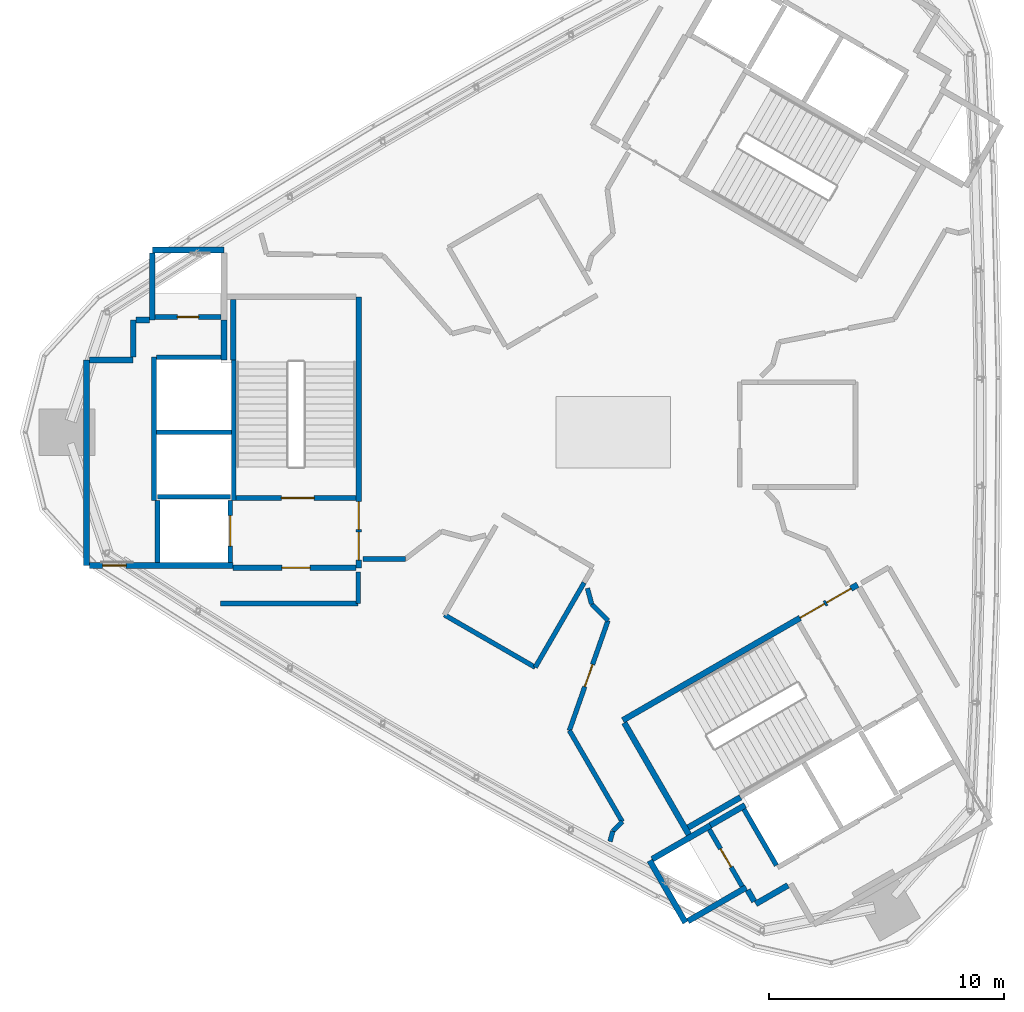
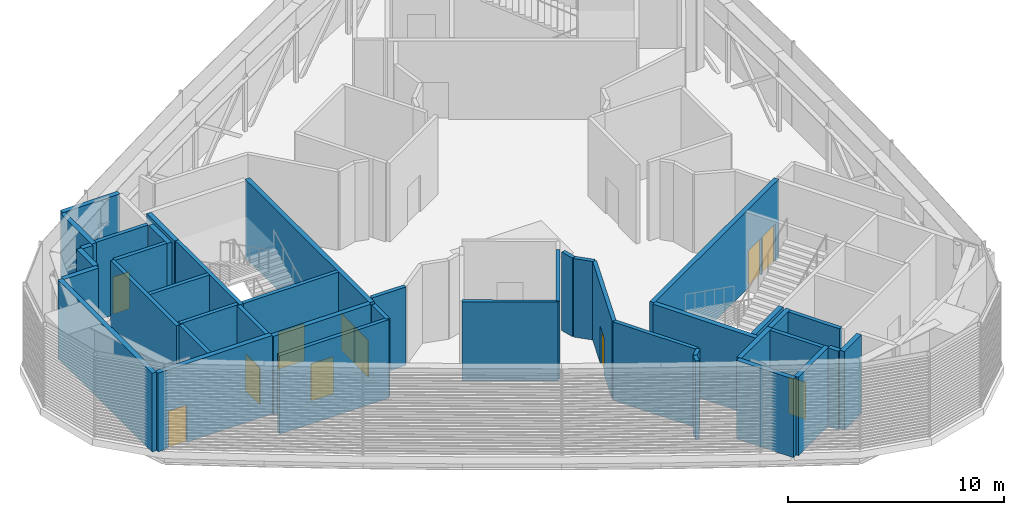
# One storey, part 15 of 21: 42 walls, 11 doors, 11 openings.
"""IFC4 building model written with IfcOpenShell, lengths in metres."""

import ifcopenshell
import ifcopenshell.guid

model = None  # the IFC model being written
_history = None  # IfcOwnerHistory: only IFC2X3 demands one
_inside = {}  # id of a spatial element -> (the spatial element, [elements in it])
_under = {}  # id of a project, library or spatial element -> (it, [spatial elements below it])
_declared = {}  # id of a project -> (the project, [libraries it declares])
_typed = {}  # id of a type object -> (the type object, [elements of that type])
_made_of = {}  # id of a material, layer set ... -> (it, [elements and type objects made of it])


def new_model(schema):
    """Start an empty IFC model of exactly this schema.

    Asked for "IFC4X3", IfcOpenShell would pick the latest addendum, in which some entities
    have other attributes; the version numbers below select the first issue.
    IFC2X3 requires an IfcOwnerHistory on every rooted entity: one is made here for all.
    """
    global model, _history
    if schema == "IFC4X3":
        model = ifcopenshell.file(schema_version=(4, 3, 0, 0))
    else:
        model = ifcopenshell.file(schema=schema)
    _inside.clear()
    _under.clear()
    _declared.clear()
    _typed.clear()
    _made_of.clear()
    _history = None
    if model.schema == "IFC2X3":
        org = make("IfcOrganization", Name="unknown")
        user = make(
            "IfcPersonAndOrganization",
            ThePerson=make("IfcPerson", FamilyName="unknown"),
            TheOrganization=org,
        )
        app = make(
            "IfcApplication",
            ApplicationDeveloper=org,
            Version="unknown",
            ApplicationFullName="unknown",
            ApplicationIdentifier="unknown",
        )
        _history = make(
            "IfcOwnerHistory",
            OwningUser=user,
            OwningApplication=app,
            ChangeAction="ADDED",
            CreationDate=0,
        )
    return model


def make(cls, **values):
    """One entity of the class cls with the attributes given. An attribute that is None is left unset."""
    return model.create_entity(
        cls, **{name: value for name, value in values.items() if value is not None}
    )


def rooted(cls, **values):
    """An entity with a GlobalId (a new one), such as an element, a storey or a relation."""
    return make(cls, GlobalId=ifcopenshell.guid.new(), OwnerHistory=_history, **values)


def si_unit(unit_type, name, prefix=None):
    """IfcSIUnit, for example si_unit("LENGTHUNIT", "METRE", prefix="MILLI")."""
    return make("IfcSIUnit", UnitType=unit_type, Prefix=prefix, Name=name)


def assignment(units):
    """IfcUnitAssignment: the units of a project."""
    return None if units is None else make("IfcUnitAssignment", Units=units)


def point(xyz):
    """IfcCartesianPoint."""
    return None if xyz is None else make("IfcCartesianPoint", Coordinates=xyz)


def direction(xyz):
    """IfcDirection."""
    return None if xyz is None else make("IfcDirection", DirectionRatios=xyz)


def frame(location, z_axis=None, x_axis=None):
    """IfcAxis2Placement3D, a coordinate frame: its origin and axes. An axis left out is left unset."""
    return make(
        "IfcAxis2Placement3D",
        Location=point(location),
        Axis=direction(z_axis),
        RefDirection=direction(x_axis),
    )


def frame_2d(location, x_axis=None):
    """IfcAxis2Placement2D, a coordinate frame in the plane: its origin and x axis."""
    return make(
        "IfcAxis2Placement2D", Location=point(location), RefDirection=direction(x_axis)
    )


def origin():
    """The frame at (0, 0, 0) with its axes left unset."""
    return frame((0.0, 0.0, 0.0))


def place(relative_to, where):
    """IfcLocalPlacement: puts the frame where relative to a parent placement (None: the world)."""
    return make(
        "IfcLocalPlacement", PlacementRelTo=relative_to, RelativePlacement=where
    )


def context(
    kind, dimensions, precision=None, world=None, true_north=None, identifier=None
):
    """IfcGeometricRepresentationContext, for example the 3D "Model" context."""
    return make(
        "IfcGeometricRepresentationContext",
        ContextIdentifier=identifier,
        ContextType=kind,
        CoordinateSpaceDimension=dimensions,
        Precision=precision,
        WorldCoordinateSystem=world,
        TrueNorth=true_north,
    )


def subcontext(parent, identifier, kind, view, scale=None):
    """IfcGeometricRepresentationSubContext, for example "Body" below "Model"."""
    return make(
        "IfcGeometricRepresentationSubContext",
        ContextIdentifier=identifier,
        ContextType=kind,
        ParentContext=parent,
        TargetScale=scale,
        TargetView=view,
    )


def project(units=None, contexts=None):
    """IfcProject with its units and contexts."""
    return rooted(
        "IfcProject",
        Name="project",
        RepresentationContexts=contexts,
        UnitsInContext=assignment(units),
    )


def spatial(cls, under=None, at=None, **own):
    """A site, building, storey or space (cls), placed at a placement, below another one or the project."""
    s = rooted(cls, ObjectPlacement=at, **own)
    if under is not None:
        _under.setdefault(under.id(), (under, []))[1].append(s)
    return s


def profile(cls, at=None, kind="AREA", **sizes):
    """A parametric profile (cls). Its sizes go by their IFC names, for example OverallWidth=200.0."""
    return make(cls, ProfileType=kind, Position=at, **sizes)


def rectangle(**sizes):
    """IfcRectangleProfileDef."""
    return profile("IfcRectangleProfileDef", **sizes)


def extrude(swept, where, along, depth):
    """IfcExtrudedAreaSolid: the profile swept, set in the frame where, extruded along a direction by depth."""
    return make(
        "IfcExtrudedAreaSolid",
        SweptArea=swept,
        Position=where,
        ExtrudedDirection=direction(along),
        Depth=depth,
    )


def shape(context_of_items, identifier, shape_type, items):
    """IfcShapeRepresentation: the items that make up one representation, for example the "Body"."""
    return make(
        "IfcShapeRepresentation",
        ContextOfItems=context_of_items,
        RepresentationIdentifier=identifier,
        RepresentationType=shape_type,
        Items=items,
    )


def material(Name=None, Category=None):
    """IfcMaterial."""
    return make("IfcMaterial", Name=Name, Category=Category)


def layer(
    of_material, thickness, ventilated=None, Name=None, Category=None, Priority=None
):
    """IfcMaterialLayer: one layer of a wall or slab, of a material (None: an air gap)."""
    return make(
        "IfcMaterialLayer",
        Material=of_material,
        LayerThickness=thickness,
        IsVentilated=ventilated,
        Name=Name,
        Category=Category,
        Priority=Priority,
    )


def layer_set(layers, Name=None):
    """IfcMaterialLayerSet."""
    return make("IfcMaterialLayerSet", MaterialLayers=layers, LayerSetName=Name)


def made_of(thing, what):
    """Note that an element or type object is made of a material, layer set ...; save() writes the relation."""
    if what is not None:
        _made_of.setdefault(what.id(), (what, []))[1].append(thing)
    return thing


def type_object(cls, material=None, **own):
    """A type object (cls), such as IfcWallType, which elements share."""
    return made_of(rooted(cls, **own), material)


def element(
    cls,
    number,
    at=None,
    inside=None,
    cuts=None,
    type_object=None,
    material=None,
    context=None,
    identifier="Body",
    shape_type=None,
    held_by="IfcProductDefinitionShape",
    body=None,
    shapes=None,
    **own,
):
    """One element of the class cls, such as IfcWall. Its Tag is "e" and its number.

    at: its placement. inside: the storey or other place that contains it. cuts: it is an
    opening in that element (IfcRelVoidsElement). A single representation is given by context,
    identifier, shape_type and body (its items); several are given by shapes. held_by: the class
    of the entity that holds the representations. save() writes the other relations.
    """
    e = rooted(cls, Tag="e%d" % number, ObjectPlacement=at, **own)
    if body is not None:
        shapes = [shape(context, identifier, shape_type, body)]
    if shapes is not None:
        e.Representation = make(held_by, Representations=shapes)
    if inside is not None:
        _inside.setdefault(inside.id(), (inside, []))[1].append(e)
    if cuts is not None:
        rooted(
            "IfcRelVoidsElement", RelatingBuildingElement=cuts, RelatedOpeningElement=e
        )
    if type_object is not None:
        _typed.setdefault(type_object.id(), (type_object, []))[1].append(e)
    return made_of(e, material)


def fill(opening, filler):
    """IfcRelFillsElement: the door or window that sits in an opening."""
    return rooted(
        "IfcRelFillsElement",
        RelatingOpeningElement=opening,
        RelatedBuildingElement=filler,
    )


def aggregate(whole, parts):
    """IfcRelAggregates: a whole, such as a stair, and the parts it consists of."""
    return rooted("IfcRelAggregates", RelatingObject=whole, RelatedObjects=parts)


def save(model, path):
    """Write the relations noted so far, then the file.

    IfcRelAggregates (storeys below a building ...), IfcRelContainedInSpatialStructure (elements
    in a storey), IfcRelDefinesByType, IfcRelAssociatesMaterial and IfcRelDeclares: one each for
    every whole, place, type object, material and project.
    """
    for whole, parts in _under.values():
        aggregate(whole, parts)
    for where, things in _inside.values():
        rooted(
            "IfcRelContainedInSpatialStructure",
            RelatedElements=things,
            RelatingStructure=where,
        )
    for kind, things in _typed.values():
        rooted("IfcRelDefinesByType", RelatedObjects=things, RelatingType=kind)
    for what, things in _made_of.values():
        rooted("IfcRelAssociatesMaterial", RelatedObjects=things, RelatingMaterial=what)
    for by, libraries in _declared.values():
        rooted("IfcRelDeclares", RelatingContext=by, RelatedDefinitions=libraries)
    model.write(path)


model = new_model("IFC4")

# Units and contexts
model_context = context("Model", 3, precision=1e-05, world=origin(), true_north=direction((0.0, 1.0)))
body_context = subcontext(model_context, "Body", "Model", "MODEL_VIEW")
ifc_project = project(units=[si_unit("LENGTHUNIT", "METRE"), si_unit("AREAUNIT", "SQUARE_METRE"), si_unit("VOLUMEUNIT", "CUBIC_METRE"), si_unit("PLANEANGLEUNIT", "RADIAN"), si_unit("MASSUNIT", "GRAM", prefix="KILO")], contexts=[model_context])

# Site, building, storey
site_placement = place(None, origin())
site = spatial("IfcSite", under=ifc_project, at=site_placement, CompositionType="ELEMENT")
building_placement = place(site_placement, origin())
building = spatial("IfcBuilding", under=site, at=building_placement, Name="Tamra Quay Hotel Tower", CompositionType="ELEMENT")
storey_placement = place(building_placement, frame((0.0, 0.0, 301.800048828125)))
storey = spatial("IfcBuildingStorey", under=building, at=storey_placement, Name="L76", CompositionType="ELEMENT", Elevation=301.800048828125)

# Walls
ifc_material_1 = material(Name="Concrete M70", Category="concrete")
ifc_layer_1 = layer(ifc_material_1, 0.199951171875)
ifc_layer_set_1 = layer_set([ifc_layer_1], Name="Concrete M70 core wall 200")
wall_type_1 = type_object("IfcWallType", Name="Concrete M70 core wall 200", PredefinedType="SHEAR", material=ifc_layer_set_1)
wall_1_placement = place(storey_placement, frame((-16.162109375, 3.073974609375, 0.0), z_axis=(0.0, 0.0, 1.0), x_axis=(0.0, -1.0, 0.0)))
element("IfcWall", 1, at=wall_1_placement, inside=storey, type_object=wall_type_1, Name="CW2", PredefinedType="SHEAR", context=body_context, shape_type="SweptSolid", body=[
    extrude(rectangle(XDim=5.97412109375, YDim=0.199951171875, at=frame_2d((2.987060546875, 0.0))), origin(), (0.0, 0.0, 1.0), 4.449951171875),
])
wall_2_placement = place(storey_placement, frame((-19.5625, -2.900146484375, 0.0), z_axis=(0.0, 0.0, 1.0), x_axis=(0.0, 1.0, 0.0)))
element("IfcWall", 2, at=wall_2_placement, inside=storey, type_object=wall_type_1, Name="CW2", PredefinedType="SHEAR", context=body_context, shape_type="SweptSolid", body=[
    extrude(rectangle(XDim=6.100341796875, YDim=0.199951171875, at=frame_2d((3.05029296875, 0.0))), origin(), (0.0, 0.0, 1.0), 4.449951171875),
])

# Wall, opening, door
wall_3_placement = place(storey_placement, frame((-10.96337890625, -2.800048828125, 0.0), z_axis=(0.0, 0.0, 1.0), x_axis=(-1.0, 0.0, 0.0)))
wall_3 = element("IfcWall", 3, at=wall_3_placement, inside=storey, type_object=wall_type_1, Name="CW2", PredefinedType="SHEAR", context=body_context, shape_type="SweptSolid", body=[
    extrude(rectangle(XDim=5.097900390625, YDim=0.199951171875, at=frame_2d((2.548828125, 0.0))), origin(), (0.0, 0.0, 1.0), 4.449951171875),
])
opening_1_placement = place(wall_3_placement, frame((1.77392578125, 0.0, 0.0)))
opening_1 = element("IfcOpeningElement", 4, at=opening_1_placement, cuts=wall_3, Name="Opening FD2", PredefinedType="OPENING", context=body_context, shape_type="SweptSolid", body=[
    extrude(rectangle(XDim=1.39990234375, YDim=2.10009765625, at=frame_2d((0.699951171875, 1.050048828125))), frame((0.0, 0.10986328125, 0.0), z_axis=(0.0, -1.0, 0.0), x_axis=(1.0, 0.0, 0.0)), (0.0, 0.0, 1.0), 0.219970703125),
])
ifc_material_2 = material(Name="Core door FD2 1400x2100 RH")
door_type_1 = type_object("IfcDoorType", Name="Core door FD2 1400x2100 RH", OperationType="NOTDEFINED", PredefinedType="DOOR", material=ifc_material_2)
door_1_placement = place(opening_1_placement, origin())
door_1 = element("IfcDoor", 5, at=door_1_placement, inside=storey, type_object=door_type_1, Name="FD2", OperationType="SINGLE_SWING_RIGHT", OverallHeight=2.10009765625, OverallWidth=1.39990234375, PredefinedType="DOOR", context=body_context, shape_type="SweptSolid", body=[
    extrude(rectangle(XDim=1.39990234375, YDim=2.10009765625, at=frame_2d((0.699951171875, 1.050048828125))), frame((0.0, 0.02490234375, 0.0), z_axis=(0.0, -1.0, 0.0), x_axis=(1.0, 0.0, 0.0)), (0.0, 0.0, 1.0), 0.050048828125),
])
fill(opening_1, door_1)

# Wall
wall_4_placement = place(storey_placement, frame((-16.26318359375, 0.0, 0.0), z_axis=(0.0, 0.0, 1.0), x_axis=(-1.0, 0.0, 0.0)))
element("IfcWall", 6, at=wall_4_placement, inside=storey, type_object=wall_type_1, Name="CW2", PredefinedType="SHEAR", context=body_context, shape_type="SweptSolid", body=[
    extrude(rectangle(XDim=3.1982421875, YDim=0.199951171875, at=frame_2d((1.59912109375, 0.0))), origin(), (0.0, 0.0, 1.0), 4.449951171875),
])

# Wall, opening, door
wall_5_placement = place(storey_placement, frame((-19.51123046875, 4.91015625, 0.0), z_axis=(0.0, 0.0, 1.0), x_axis=(1.0, 0.0, 0.0)))
wall_5 = element("IfcWall", 7, at=wall_5_placement, inside=storey, type_object=wall_type_1, Name="CW2", PredefinedType="SHEAR", context=body_context, shape_type="SweptSolid", body=[
    extrude(rectangle(XDim=2.7978515625, YDim=0.199951171875, at=frame_2d((1.39892578125, 0.0))), origin(), (0.0, 0.0, 1.0), 4.449951171875),
])
opening_2_placement = place(wall_5_placement, frame((0.948974609375, 0.0, 0.0)))
opening_2 = element("IfcOpeningElement", 8, at=opening_2_placement, cuts=wall_5, Name="Opening D1", PredefinedType="OPENING", context=body_context, shape_type="SweptSolid", body=[
    extrude(rectangle(XDim=0.89990234375, YDim=2.10009765625, at=frame_2d((0.449951171875, 1.050048828125))), frame((0.0, 0.10986328125, 0.0), z_axis=(0.0, -1.0, 0.0), x_axis=(1.0, 0.0, 0.0)), (0.0, 0.0, 1.0), 0.219970703125),
])
ifc_material_3 = material(Name="Core door D1 900x2100 LH")
door_type_2 = type_object("IfcDoorType", Name="Core door D1 900x2100 LH", OperationType="NOTDEFINED", PredefinedType="DOOR", material=ifc_material_3)
door_2_placement = place(opening_2_placement, origin())
door_2 = element("IfcDoor", 9, at=door_2_placement, inside=storey, type_object=door_type_2, Name="D1", OperationType="SINGLE_SWING_LEFT", OverallHeight=2.10009765625, OverallWidth=0.89990234375, PredefinedType="DOOR", context=body_context, shape_type="SweptSolid", body=[
    extrude(rectangle(XDim=0.89990234375, YDim=2.10009765625, at=frame_2d((0.449951171875, 1.050048828125))), frame((0.0, 0.02490234375, 0.0), z_axis=(0.0, -1.0, 0.0), x_axis=(1.0, 0.0, 0.0)), (0.0, 0.0, 1.0), 0.050048828125),
])
fill(opening_2, door_2)

# Walls
wall_6_placement = place(storey_placement, frame((-19.46240234375, 3.2001953125, 0.0), z_axis=(0.0, 0.0, 1.0), x_axis=(1.0, 0.0, 0.0)))
element("IfcWall", 10, at=wall_6_placement, inside=storey, type_object=wall_type_1, Name="CW2", PredefinedType="SHEAR", context=body_context, shape_type="SweptSolid", body=[
    extrude(rectangle(XDim=2.759033203125, YDim=0.199951171875, at=frame_2d((1.37939453125, 0.0))), origin(), (0.0, 0.0, 1.0), 4.449951171875),
])
wall_7_placement = place(storey_placement, frame((-19.412353515625, -2.75, 0.0), z_axis=(0.0, 0.0, 1.0), x_axis=(1.0, 0.0, 0.0)))
element("IfcWall", 11, at=wall_7_placement, inside=storey, type_object=wall_type_1, Name="CW2", PredefinedType="SHEAR", context=body_context, shape_type="SweptSolid", body=[
    extrude(rectangle(XDim=3.10009765625, YDim=0.199951171875, at=frame_2d((1.550048828125, 0.0))), origin(), (0.0, 0.0, 1.0), 4.449951171875),
])

# Wall, opening, door
wall_8_placement = place(storey_placement, frame((-16.312255859375, -2.898193359375, 0.0), z_axis=(0.0, 0.0, 1.0), x_axis=(0.0, -1.0, 0.0)))
wall_8 = element("IfcWall", 12, at=wall_8_placement, inside=storey, type_object=wall_type_1, Name="CW2", PredefinedType="SHEAR", context=body_context, shape_type="SweptSolid", body=[
    extrude(rectangle(XDim=2.65087890625, YDim=0.199951171875, at=frame_2d((1.325439453125, 0.0))), origin(), (0.0, 0.0, 1.0), 4.449951171875),
])
opening_3_placement = place(wall_8_placement, frame((0.65185546875, 0.0, 0.0)))
opening_3 = element("IfcOpeningElement", 13, at=opening_3_placement, cuts=wall_8, Name="Opening LD", PredefinedType="OPENING", context=body_context, shape_type="SweptSolid", body=[
    extrude(rectangle(XDim=1.300048828125, YDim=2.10009765625, at=frame_2d((0.64990234375, 1.050048828125))), frame((0.0, 0.10986328125, 0.0), z_axis=(0.0, -1.0, 0.0), x_axis=(1.0, 0.0, 0.0)), (0.0, 0.0, 1.0), 0.219970703125),
])
ifc_material_4 = material(Name="Landing door LD 1300 sliding to right")
door_type_3 = type_object("IfcDoorType", Name="Landing door LD 1300 sliding to right", OperationType="NOTDEFINED", PredefinedType="DOOR", material=ifc_material_4)
door_3_placement = place(opening_3_placement, origin())
door_3 = element("IfcDoor", 14, at=door_3_placement, inside=storey, type_object=door_type_3, Name="LD", OperationType="SLIDING_TO_RIGHT", OverallHeight=2.10009765625, OverallWidth=1.300048828125, PredefinedType="DOOR", context=body_context, shape_type="SweptSolid", body=[
    extrude(rectangle(XDim=1.300048828125, YDim=2.10009765625, at=frame_2d((0.64990234375, 1.050048828125))), frame((0.0, 0.02490234375, 0.0), z_axis=(0.0, -1.0, 0.0), x_axis=(1.0, 0.0, 0.0)), (0.0, 0.0, 1.0), 0.050048828125),
])
fill(opening_3, door_3)

# Wall
wall_9_placement = place(storey_placement, frame((-19.412353515625, -5.549072265625, 0.0), z_axis=(0.0, 0.0, 1.0), x_axis=(0.0, 1.0, 0.0)))
element("IfcWall", 15, at=wall_9_placement, inside=storey, type_object=wall_type_1, Name="CW2", PredefinedType="SHEAR", context=body_context, shape_type="SweptSolid", body=[
    extrude(rectangle(XDim=2.65087890625, YDim=0.199951171875, at=frame_2d((1.325439453125, 0.0))), origin(), (0.0, 0.0, 1.0), 4.449951171875),
])

# Wall, opening, door
wall_10_placement = place(storey_placement, frame((5.50341796875, -19.352294921875, 0.0), z_axis=(0.0, 0.0, 1.0), x_axis=(-0.499986818241, 0.866033014143, 0.0)))
wall_10 = element("IfcWall", 16, at=wall_10_placement, inside=storey, type_object=wall_type_1, Name="CW2", PredefinedType="SHEAR", context=body_context, shape_type="SweptSolid", body=[
    extrude(rectangle(XDim=2.7978515625, YDim=0.199951171875, at=frame_2d((1.39892578125, 0.0))), origin(), (0.0, 0.0, 1.0), 4.449951171875),
])
opening_4_placement = place(wall_10_placement, frame((0.948974609375, 0.0, 0.0)))
opening_4 = element("IfcOpeningElement", 17, at=opening_4_placement, cuts=wall_10, Name="Opening D1", PredefinedType="OPENING", context=body_context, shape_type="SweptSolid", body=[
    extrude(rectangle(XDim=0.89990234375, YDim=2.10009765625, at=frame_2d((0.449951171875, 1.050048828125))), frame((0.0, 0.10986328125, 0.0), z_axis=(0.0, -1.0, 0.0), x_axis=(1.0, 0.0, 0.0)), (0.0, 0.0, 1.0), 0.219970703125),
])
ifc_material_5 = material(Name="Core door D1 900x2100 RH")
door_type_4 = type_object("IfcDoorType", Name="Core door D1 900x2100 RH", OperationType="NOTDEFINED", PredefinedType="DOOR", material=ifc_material_5)
door_4_placement = place(opening_4_placement, origin())
door_4 = element("IfcDoor", 18, at=door_4_placement, inside=storey, type_object=door_type_4, Name="D1", OperationType="SINGLE_SWING_RIGHT", OverallHeight=2.10009765625, OverallWidth=0.89990234375, PredefinedType="DOOR", context=body_context, shape_type="SweptSolid", body=[
    extrude(rectangle(XDim=0.89990234375, YDim=2.10009765625, at=frame_2d((0.449951171875, 1.050048828125))), frame((0.0, 0.02490234375, 0.0), z_axis=(0.0, -1.0, 0.0), x_axis=(1.0, 0.0, 0.0)), (0.0, 0.0, 1.0), 0.050048828125),
])
fill(opening_4, door_4)

# Wall
wall_11_placement = place(storey_placement, frame((6.959716796875, -18.455078125, 0.0), z_axis=(0.0, 0.0, 1.0), x_axis=(-0.499926705758, 0.866067716099, 0.0)))
element("IfcWall", 19, at=wall_11_placement, inside=storey, type_object=wall_type_1, Name="CW2", PredefinedType="SHEAR", context=body_context, shape_type="SweptSolid", body=[
    extrude(rectangle(XDim=2.75927734375, YDim=0.199951171875, at=frame_2d((1.379638671875, 0.0))), origin(), (0.0, 0.0, 1.0), 4.449951171875),
])

# Wall, openings, doors
ifc_layer_2 = layer(ifc_material_1, 0.25)
ifc_layer_set_2 = layer_set([ifc_layer_2], Name="Concrete M70 core wall 250")
wall_type_2 = type_object("IfcWallType", Name="Concrete M70 core wall 250", PredefinedType="SHEAR", material=ifc_layer_set_2)
wall_12_placement = place(storey_placement, frame((-10.83740234375, 5.77490234375, 0.0), z_axis=(0.0, 0.0, 1.0), x_axis=(0.0, -1.0, 0.0)))
wall_12 = element("IfcWall", 20, at=wall_12_placement, inside=storey, type_object=wall_type_2, Name="CW1", PredefinedType="SHEAR", context=body_context, shape_type="SweptSolid", body=[
    extrude(rectangle(XDim=11.5498046875, YDim=0.25, at=frame_2d((5.77490234375, 0.0))), origin(), (0.0, 0.0, 1.0), 4.449951171875),
])
opening_5_placement = place(wall_12_placement, frame((10.02490234375, 0.0, 0.0)))
opening_5 = element("IfcOpeningElement", 21, at=opening_5_placement, cuts=wall_12, Name="Opening FD1", PredefinedType="OPENING", context=body_context, shape_type="SweptSolid", body=[
    extrude(rectangle(XDim=1.199951171875, YDim=2.10009765625, at=frame_2d((0.60009765625, 1.050048828125))), frame((0.0, 0.135009765625, 0.0), z_axis=(0.0, -1.0, 0.0), x_axis=(1.0, 0.0, 0.0)), (0.0, 0.0, 1.0), 0.27001953125),
])
opening_6_placement = place(wall_12_placement, frame((8.72509765625, 0.0, 0.0)))
opening_6 = element("IfcOpeningElement", 22, at=opening_6_placement, cuts=wall_12, Name="Opening FD1", PredefinedType="OPENING", context=body_context, shape_type="SweptSolid", body=[
    extrude(rectangle(XDim=1.199951171875, YDim=2.10009765625, at=frame_2d((0.60009765625, 1.050048828125))), frame((0.0, 0.135009765625, 0.0), z_axis=(0.0, -1.0, 0.0), x_axis=(1.0, 0.0, 0.0)), (0.0, 0.0, 1.0), 0.27001953125),
])
ifc_material_6 = material(Name="Core door FD1 1200x2100 LH")
door_type_5 = type_object("IfcDoorType", Name="Core door FD1 1200x2100 LH", OperationType="NOTDEFINED", PredefinedType="DOOR", material=ifc_material_6)
door_5_placement = place(opening_5_placement, origin())
door_5 = element("IfcDoor", 23, at=door_5_placement, inside=storey, type_object=door_type_5, Name="FD1", OperationType="SINGLE_SWING_LEFT", OverallHeight=2.10009765625, OverallWidth=1.199951171875, PredefinedType="DOOR", context=body_context, shape_type="SweptSolid", body=[
    extrude(rectangle(XDim=1.199951171875, YDim=2.10009765625, at=frame_2d((0.60009765625, 1.050048828125))), frame((0.0, 0.02490234375, 0.0), z_axis=(0.0, -1.0, 0.0), x_axis=(1.0, 0.0, 0.0)), (0.0, 0.0, 1.0), 0.050048828125),
])
fill(opening_5, door_5)
ifc_material_7 = material(Name="Core door FD1 1200x2100 RH")
door_type_6 = type_object("IfcDoorType", Name="Core door FD1 1200x2100 RH", OperationType="NOTDEFINED", PredefinedType="DOOR", material=ifc_material_7)
door_6_placement = place(opening_6_placement, origin())
door_6 = element("IfcDoor", 24, at=door_6_placement, inside=storey, type_object=door_type_6, Name="FD1", OperationType="SINGLE_SWING_RIGHT", OverallHeight=2.10009765625, OverallWidth=1.199951171875, PredefinedType="DOOR", context=body_context, shape_type="SweptSolid", body=[
    extrude(rectangle(XDim=1.199951171875, YDim=2.10009765625, at=frame_2d((0.60009765625, 1.050048828125))), frame((0.0, 0.02490234375, 0.0), z_axis=(0.0, -1.0, 0.0), x_axis=(1.0, 0.0, 0.0)), (0.0, 0.0, 1.0), 0.050048828125),
])
fill(opening_6, door_6)

# Wall
wall_13_placement = place(storey_placement, frame((-22.437255859375, -5.675048828125, 0.0), z_axis=(0.0, 0.0, 1.0), x_axis=(0.0, 1.0, 0.0)))
element("IfcWall", 25, at=wall_13_placement, inside=storey, type_object=wall_type_2, Name="CW1", PredefinedType="SHEAR", context=body_context, shape_type="SweptSolid", body=[
    extrude(rectangle(XDim=8.75, YDim=0.25, at=frame_2d((4.375, 0.0))), origin(), (0.0, 0.0, 1.0), 4.449951171875),
])

# Wall, opening, door
wall_14_placement = place(storey_placement, frame((-16.187255859375, -5.675048828125, 0.0), z_axis=(0.0, 0.0, 1.0), x_axis=(-1.0, 0.0, 0.0)))
wall_14 = element("IfcWall", 26, at=wall_14_placement, inside=storey, type_object=wall_type_2, Name="CW1", PredefinedType="SHEAR", context=body_context, shape_type="SweptSolid", body=[
    extrude(rectangle(XDim=6.12451171875, YDim=0.25, at=frame_2d((3.062255859375, 0.0))), origin(), (0.0, 0.0, 1.0), 4.449951171875),
])
opening_7_placement = place(wall_14_placement, frame((4.562744140625, 0.0, 0.0)))
opening_7 = element("IfcOpeningElement", 27, at=opening_7_placement, cuts=wall_14, Name="Opening FD3", PredefinedType="OPENING", context=body_context, shape_type="SweptSolid", body=[
    extrude(rectangle(XDim=1.0, YDim=2.10009765625, at=frame_2d((0.5, 1.050048828125))), frame((0.0, 0.135009765625, 0.0), z_axis=(0.0, -1.0, 0.0), x_axis=(1.0, 0.0, 0.0)), (0.0, 0.0, 1.0), 0.27001953125),
])
ifc_material_8 = material(Name="Core door FD3 1000x2100 LH")
door_type_7 = type_object("IfcDoorType", Name="Core door FD3 1000x2100 LH", OperationType="NOTDEFINED", PredefinedType="DOOR", material=ifc_material_8)
door_7_placement = place(opening_7_placement, origin())
door_7 = element("IfcDoor", 28, at=door_7_placement, inside=storey, type_object=door_type_7, Name="FD3", OperationType="SINGLE_SWING_LEFT", OverallHeight=2.10009765625, OverallWidth=1.0, PredefinedType="DOOR", context=body_context, shape_type="SweptSolid", body=[
    extrude(rectangle(XDim=1.0, YDim=2.10009765625, at=frame_2d((0.5, 1.050048828125))), frame((0.0, 0.02490234375, 0.0), z_axis=(0.0, -1.0, 0.0), x_axis=(1.0, 0.0, 0.0)), (0.0, 0.0, 1.0), 0.050048828125),
])
fill(opening_7, door_7)

wall_15_placement = place(storey_placement, frame((-10.962646484375, -5.77490234375, 0.0), z_axis=(0.0, 0.0, 1.0), x_axis=(-1.0, 0.0, 0.0)))
wall_15 = element("IfcWall", 29, at=wall_15_placement, inside=storey, type_object=wall_type_2, Name="CW1", PredefinedType="SHEAR", context=body_context, shape_type="SweptSolid", body=[
    extrude(rectangle(XDim=5.224609375, YDim=0.25, at=frame_2d((2.6123046875, 0.0))), origin(), (0.0, 0.0, 1.0), 4.449951171875),
])
opening_8_placement = place(wall_15_placement, frame((1.94970703125, 0.0, 0.0)))
opening_8 = element("IfcOpeningElement", 30, at=opening_8_placement, cuts=wall_15, Name="Opening D2", PredefinedType="OPENING", context=body_context, shape_type="SweptSolid", body=[
    extrude(rectangle(XDim=1.199951171875, YDim=2.10009765625, at=frame_2d((0.60009765625, 1.050048828125))), frame((0.0, 0.135009765625, 0.0), z_axis=(0.0, -1.0, 0.0), x_axis=(1.0, 0.0, 0.0)), (0.0, 0.0, 1.0), 0.27001953125),
])
ifc_material_9 = material(Name="Core door D2 1200x2100 LH")
door_type_8 = type_object("IfcDoorType", Name="Core door D2 1200x2100 LH", OperationType="NOTDEFINED", PredefinedType="DOOR", material=ifc_material_9)
door_8_placement = place(opening_8_placement, origin())
door_8 = element("IfcDoor", 31, at=door_8_placement, inside=storey, type_object=door_type_8, Name="D2", OperationType="SINGLE_SWING_LEFT", OverallHeight=2.10009765625, OverallWidth=1.199951171875, PredefinedType="DOOR", context=body_context, shape_type="SweptSolid", body=[
    extrude(rectangle(XDim=1.199951171875, YDim=2.10009765625, at=frame_2d((0.60009765625, 1.050048828125))), frame((0.0, 0.02490234375, 0.0), z_axis=(0.0, -1.0, 0.0), x_axis=(1.0, 0.0, 0.0)), (0.0, 0.0, 1.0), 0.050048828125),
])
fill(opening_8, door_8)

# Walls
wall_16_placement = place(storey_placement, frame((-19.63720703125, 7.77490234375, 0.0), z_axis=(0.0, 0.0, 1.0), x_axis=(1.0, 0.0, 0.0)))
element("IfcWall", 32, at=wall_16_placement, inside=storey, type_object=wall_type_2, Name="CW1", PredefinedType="SHEAR", context=body_context, shape_type="SweptSolid", body=[
    extrude(rectangle(XDim=3.0498046875, YDim=0.25, at=frame_2d((1.52490234375, 0.0))), origin(), (0.0, 0.0, 1.0), 4.449951171875),
])
wall_17_placement = place(storey_placement, frame((-19.63720703125, 4.784912109375, 0.0), z_axis=(0.0, 0.0, 1.0), x_axis=(0.0, 1.0, 0.0)))
element("IfcWall", 33, at=wall_17_placement, inside=storey, type_object=wall_type_2, Name="CW1", PredefinedType="SHEAR", context=body_context, shape_type="SweptSolid", body=[
    extrude(rectangle(XDim=2.86474609375, YDim=0.25, at=frame_2d((1.432373046875, 0.0))), origin(), (0.0, 0.0, 1.0), 4.449951171875),
])
wall_18_placement = place(storey_placement, frame((-16.187255859375, 3.074951171875, 0.0), z_axis=(0.0, 0.0, 1.0), x_axis=(0.0, 1.0, 0.0)))
element("IfcWall", 34, at=wall_18_placement, inside=storey, type_object=wall_type_2, Name="CW1", PredefinedType="SHEAR", context=body_context, shape_type="SweptSolid", body=[
    extrude(rectangle(XDim=2.57470703125, YDim=0.25, at=frame_2d((1.287353515625, 0.0))), origin(), (0.0, 0.0, 1.0), 4.449951171875),
])
wall_19_placement = place(storey_placement, frame((-22.311767578125, 3.074951171875, 0.0), z_axis=(0.0, 0.0, 1.0), x_axis=(1.0, 0.0, 0.0)))
element("IfcWall", 35, at=wall_19_placement, inside=storey, type_object=wall_type_2, Name="CW1", PredefinedType="SHEAR", context=body_context, shape_type="SweptSolid", body=[
    extrude(rectangle(XDim=1.864501953125, YDim=0.25, at=frame_2d((0.93212890625, 0.0))), origin(), (0.0, 0.0, 1.0), 4.449951171875),
])
wall_20_placement = place(storey_placement, frame((-16.577392578125, 4.784912109375, 0.0), z_axis=(0.0, 0.0, 1.0), x_axis=(0.0, -1.0, 0.0)))
element("IfcWall", 36, at=wall_20_placement, inside=storey, type_object=wall_type_2, Name="CW1", PredefinedType="SHEAR", context=body_context, shape_type="SweptSolid", body=[
    extrude(rectangle(XDim=1.7099609375, YDim=0.25, at=frame_2d((0.85498046875, 0.0))), origin(), (0.0, 0.0, 1.0), 4.449951171875),
])
wall_21_placement = place(storey_placement, frame((-20.447265625, 3.200439453125, 0.0), z_axis=(0.0, 0.0, 1.0), x_axis=(0.0, 1.0, 0.0)))
element("IfcWall", 37, at=wall_21_placement, inside=storey, type_object=wall_type_2, Name="CW1", PredefinedType="SHEAR", context=body_context, shape_type="SweptSolid", body=[
    extrude(rectangle(XDim=1.58447265625, YDim=0.25, at=frame_2d((0.792236328125, 0.0))), origin(), (0.0, 0.0, 1.0), 4.449951171875),
])
wall_22_placement = place(storey_placement, frame((-20.32177734375, 4.784912109375, 0.0), z_axis=(0.0, 0.0, 1.0), x_axis=(1.0, 0.0, 0.0)))
element("IfcWall", 38, at=wall_22_placement, inside=storey, type_object=wall_type_2, Name="CW1", PredefinedType="SHEAR", context=body_context, shape_type="SweptSolid", body=[
    extrude(rectangle(XDim=0.55908203125, YDim=0.25, at=frame_2d((0.279541015625, 0.0))), origin(), (0.0, 0.0, 1.0), 4.449951171875),
])

# Wall, openings, doors
wall_23_placement = place(storey_placement, frame((0.417236328125, -12.27294921875, 0.0), z_axis=(0.0, 0.0, 1.0), x_axis=(0.866021906294, 0.500006057782, 0.0)))
wall_23 = element("IfcWall", 39, at=wall_23_placement, inside=storey, type_object=wall_type_2, Name="CW1", PredefinedType="SHEAR", context=body_context, shape_type="SweptSolid", body=[
    extrude(rectangle(XDim=11.550048828125, YDim=0.25, at=frame_2d((5.77490234375, 0.0))), origin(), (0.0, 0.0, 1.0), 4.449951171875),
])
opening_9_placement = place(wall_23_placement, frame((10.024658203125, 0.0, 0.0)))
opening_9 = element("IfcOpeningElement", 40, at=opening_9_placement, cuts=wall_23, Name="Opening FD1", PredefinedType="OPENING", context=body_context, shape_type="SweptSolid", body=[
    extrude(rectangle(XDim=1.199951171875, YDim=2.10009765625, at=frame_2d((0.60009765625, 1.050048828125))), frame((0.0, 0.135009765625, 0.0), z_axis=(0.0, -1.0, 0.0), x_axis=(1.0, 0.0, 0.0)), (0.0, 0.0, 1.0), 0.27001953125),
])
opening_10_placement = place(wall_23_placement, frame((8.724609375, 0.0, 0.0)))
opening_10 = element("IfcOpeningElement", 41, at=opening_10_placement, cuts=wall_23, Name="Opening FD1", PredefinedType="OPENING", context=body_context, shape_type="SweptSolid", body=[
    extrude(rectangle(XDim=1.199951171875, YDim=2.10009765625, at=frame_2d((0.60009765625, 1.050048828125))), frame((0.0, 0.135009765625, 0.0), z_axis=(0.0, -1.0, 0.0), x_axis=(1.0, 0.0, 0.0)), (0.0, 0.0, 1.0), 0.27001953125),
])
door_9_placement = place(opening_9_placement, origin())
door_9 = element("IfcDoor", 42, at=door_9_placement, inside=storey, type_object=door_type_5, Name="FD1", OperationType="SINGLE_SWING_LEFT", OverallHeight=2.10009765625, OverallWidth=1.199951171875, PredefinedType="DOOR", context=body_context, shape_type="SweptSolid", body=[
    extrude(rectangle(XDim=1.199951171875, YDim=2.10009765625, at=frame_2d((0.60009765625, 1.050048828125))), frame((0.0, 0.02490234375, 0.0), z_axis=(0.0, -1.0, 0.0), x_axis=(1.0, 0.0, 0.0)), (0.0, 0.0, 1.0), 0.050048828125),
])
fill(opening_9, door_9)
door_10_placement = place(opening_10_placement, origin())
door_10 = element("IfcDoor", 43, at=door_10_placement, inside=storey, type_object=door_type_6, Name="FD1", OperationType="SINGLE_SWING_RIGHT", OverallHeight=2.10009765625, OverallWidth=1.199951171875, PredefinedType="DOOR", context=body_context, shape_type="SweptSolid", body=[
    extrude(rectangle(XDim=1.199951171875, YDim=2.10009765625, at=frame_2d((0.60009765625, 1.050048828125))), frame((0.0, 0.02490234375, 0.0), z_axis=(0.0, -1.0, 0.0), x_axis=(1.0, 0.0, 0.0)), (0.0, 0.0, 1.0), 0.050048828125),
])
fill(opening_10, door_10)

# Walls
wall_24_placement = place(storey_placement, frame((3.23486328125, -17.15283203125, 0.0), z_axis=(0.0, 0.0, 1.0), x_axis=(-0.500008851346, 0.866020293397, 0.0)))
element("IfcWall", 44, at=wall_24_placement, inside=storey, type_object=wall_type_2, Name="CW1", PredefinedType="SHEAR", context=body_context, shape_type="SweptSolid", body=[
    extrude(rectangle(XDim=5.509765625, YDim=0.25, at=frame_2d((2.7548828125, 0.0))), origin(), (0.0, 0.0, 1.0), 4.449951171875),
])
wall_25_placement = place(storey_placement, frame((3.085205078125, -20.893798828125, 0.0), z_axis=(0.0, 0.0, 1.0), x_axis=(-0.499978833458, 0.866037623948, 0.0)))
element("IfcWall", 45, at=wall_25_placement, inside=storey, type_object=wall_type_2, Name="CW1", PredefinedType="SHEAR", context=body_context, shape_type="SweptSolid", body=[
    extrude(rectangle(XDim=3.050048828125, YDim=0.25, at=frame_2d((1.52490234375, 0.0))), origin(), (0.0, 0.0, 1.0), 4.449951171875),
])
wall_26_placement = place(storey_placement, frame((1.6689453125, -18.189697265625, 0.0), z_axis=(0.0, 0.0, 1.0), x_axis=(0.866042235819, 0.499970844928, 0.0)))
element("IfcWall", 46, at=wall_26_placement, inside=storey, type_object=wall_type_2, Name="CW1", PredefinedType="SHEAR", context=body_context, shape_type="SweptSolid", body=[
    extrude(rectangle(XDim=2.864501953125, YDim=0.25, at=frame_2d((1.43212890625, 0.0))), origin(), (0.0, 0.0, 1.0), 4.449951171875),
])
wall_27_placement = place(storey_placement, frame((5.6748046875, -19.39892578125, 0.0), z_axis=(0.0, 0.0, 1.0), x_axis=(-0.866026637627, -0.499997862916, 0.0)))
element("IfcWall", 47, at=wall_27_placement, inside=storey, type_object=wall_type_2, Name="CW1", PredefinedType="SHEAR", context=body_context, shape_type="SweptSolid", body=[
    extrude(rectangle(XDim=2.86474609375, YDim=0.25, at=frame_2d((1.432373046875, 0.0))), origin(), (0.0, 0.0, 1.0), 4.449951171875),
])
wall_28_placement = place(storey_placement, frame((5.4306640625, -15.55615234375, 0.0), z_axis=(0.0, 0.0, 1.0), x_axis=(-0.866022940537, -0.500004266446, 0.0)))
element("IfcWall", 48, at=wall_28_placement, inside=storey, type_object=wall_type_2, Name="CW1", PredefinedType="SHEAR", context=body_context, shape_type="SweptSolid", body=[
    extrude(rectangle(XDim=2.57470703125, YDim=0.25, at=frame_2d((1.287353515625, 0.0))), origin(), (0.0, 0.0, 1.0), 4.449951171875),
])
wall_29_placement = place(storey_placement, frame((4.144775390625, -16.748779296875, 0.0), z_axis=(0.0, 0.0, 1.0), x_axis=(0.866038183914, 0.499977863513, 0.0)))
element("IfcWall", 49, at=wall_29_placement, inside=storey, type_object=wall_type_2, Name="CW1", PredefinedType="SHEAR", context=body_context, shape_type="SweptSolid", body=[
    extrude(rectangle(XDim=1.7099609375, YDim=0.25, at=frame_2d((0.85498046875, 0.0))), origin(), (0.0, 0.0, 1.0), 4.449951171875),
])
wall_30_placement = place(storey_placement, frame((7.451904296875, -19.30810546875, 0.0), z_axis=(0.0, 0.0, 1.0), x_axis=(-0.866044474677, -0.49996696679, 0.0)))
element("IfcWall", 50, at=wall_30_placement, inside=storey, type_object=wall_type_2, Name="CW1", PredefinedType="SHEAR", context=body_context, shape_type="SweptSolid", body=[
    extrude(rectangle(XDim=1.58447265625, YDim=0.25, at=frame_2d((0.792236328125, 0.0))), origin(), (0.0, 0.0, 1.0), 4.449951171875),
])
wall_31_placement = place(storey_placement, frame((6.01708984375, -19.99169921875, 0.0), z_axis=(0.0, 0.0, 1.0), x_axis=(-0.500364886717, 0.865814633822, 0.0)))
element("IfcWall", 51, at=wall_31_placement, inside=storey, type_object=wall_type_2, Name="CW1", PredefinedType="SHEAR", context=body_context, shape_type="SweptSolid", body=[
    extrude(rectangle(XDim=0.55908203125, YDim=0.25, at=frame_2d((0.279541015625, 0.0))), origin(), (0.0, 0.0, 1.0), 4.449951171875),
])
ifc_material_10 = material(Name="Partition corridor wall")
ifc_layer_3 = layer(ifc_material_10, 0.199951171875)
ifc_layer_set_3 = layer_set([ifc_layer_3], Name="Partition corridor wall")
wall_type_3 = type_object("IfcWallType", Name="Partition corridor wall", PredefinedType="PARTITIONING", material=ifc_layer_set_3)
wall_32_placement = place(storey_placement, frame((-16.728759765625, -7.300048828125, 0.0), z_axis=(0.0, 0.0, 1.0), x_axis=(1.0, 0.0, 0.0)))
element("IfcWall", 52, at=wall_32_placement, inside=storey, type_object=wall_type_3, Name="W-C", PredefinedType="PARTITIONING", context=body_context, shape_type="SweptSolid", body=[
    extrude(rectangle(XDim=5.86669921875, YDim=0.199951171875, at=frame_2d((2.933349609375, 0.0))), origin(), (0.0, 0.0, 1.0), 4.449951171875),
])
wall_33_placement = place(storey_placement, frame((-10.862060546875, -7.300048828125, 0.0), z_axis=(0.0, 0.0, 1.0), x_axis=(0.0, 1.0, 0.0)))
element("IfcWall", 53, at=wall_33_placement, inside=storey, type_object=wall_type_3, Name="W-C", PredefinedType="PARTITIONING", context=body_context, shape_type="SweptSolid", body=[
    extrude(rectangle(XDim=1.340087890625, YDim=0.199951171875, at=frame_2d((0.669921875, 0.0))), origin(), (0.0, 0.0, 1.0), 4.449951171875),
])
wall_34_placement = place(storey_placement, frame((-10.65234375, -5.39990234375, 0.0), z_axis=(0.0, 0.0, 1.0), x_axis=(1.0, 0.0, 0.0)))
element("IfcWall", 54, at=wall_34_placement, inside=storey, type_object=wall_type_3, Name="W-C", PredefinedType="PARTITIONING", context=body_context, shape_type="SweptSolid", body=[
    extrude(rectangle(XDim=1.79833984375, YDim=0.199951171875, at=frame_2d((0.899169921875, 0.0))), origin(), (0.0, 0.0, 1.0), 4.449951171875),
])
wall_35_placement = place(storey_placement, frame((-1.861083984375, -12.7099609375, 0.0), z_axis=(0.0, 0.0, 1.0), x_axis=(0.501790506815, -0.864989183326, 0.0)))
element("IfcWall", 55, at=wall_35_placement, inside=storey, type_object=wall_type_3, Name="W-C", PredefinedType="PARTITIONING", context=body_context, shape_type="SweptSolid", body=[
    extrude(rectangle(XDim=4.490234375, YDim=0.199951171875, at=frame_2d((2.2451171875, 0.0))), origin(), (0.0, 0.0, 1.0), 4.449951171875),
])

# Wall, opening, door
wall_36_placement = place(storey_placement, frame((-1.861083984375, -12.7099609375, 0.0), z_axis=(0.0, 0.0, 1.0), x_axis=(0.331282665584, 0.943531555108, 0.0)))
wall_36 = element("IfcWall", 56, at=wall_36_placement, inside=storey, type_object=wall_type_3, Name="W-C", PredefinedType="PARTITIONING", context=body_context, shape_type="SweptSolid", body=[
    extrude(rectangle(XDim=4.968505859375, YDim=0.199951171875, at=frame_2d((2.484375, 0.0))), origin(), (0.0, 0.0, 1.0), 4.449951171875),
])
opening_11_placement = place(wall_36_placement, frame((1.982177734375, 0.0, 0.0)))
opening_11 = element("IfcOpeningElement", 57, at=opening_11_placement, cuts=wall_36, Name="Opening L76-D003", PredefinedType="OPENING", context=body_context, shape_type="SweptSolid", body=[
    extrude(rectangle(XDim=1.0, YDim=2.10009765625, at=frame_2d((0.5, 1.050048828125))), frame((0.0, 0.10986328125, 0.0), z_axis=(0.0, -1.0, 0.0), x_axis=(1.0, 0.0, 0.0)), (0.0, 0.0, 1.0), 0.219970703125),
])
ifc_material_11 = material(Name="Door service room 1000x2100")
door_type_9 = type_object("IfcDoorType", Name="Door service room 1000x2100", OperationType="NOTDEFINED", PredefinedType="DOOR", material=ifc_material_11)
door_11_placement = place(opening_11_placement, origin())
door_11 = element("IfcDoor", 58, at=door_11_placement, inside=storey, type_object=door_type_9, Name="L76-D003", OperationType="SINGLE_SWING_LEFT", OverallHeight=2.10009765625, OverallWidth=1.0, PredefinedType="DOOR", context=body_context, shape_type="SweptSolid", body=[
    extrude(rectangle(XDim=1.0, YDim=2.10009765625, at=frame_2d((0.5, 1.050048828125))), frame((0.0, 0.02490234375, 0.0), z_axis=(0.0, -1.0, 0.0), x_axis=(1.0, 0.0, 0.0)), (0.0, 0.0, 1.0), 0.050048828125),
])
fill(opening_11, door_11)

# Walls
wall_37_placement = place(storey_placement, frame((-1.093017578125, -6.64599609375, 0.0), z_axis=(0.0, 0.0, 1.0), x_axis=(0.258741864149, -0.965946503558, 0.0)))
element("IfcWall", 59, at=wall_37_placement, inside=storey, type_object=wall_type_3, Name="W-C", PredefinedType="PARTITIONING", context=body_context, shape_type="SweptSolid", body=[
    extrude(rectangle(XDim=0.703857421875, YDim=0.199951171875, at=frame_2d((0.35205078125, 0.0))), origin(), (0.0, 0.0, 1.0), 4.449951171875),
])
wall_38_placement = place(storey_placement, frame((-0.910888671875, -7.325927734375, 0.0), z_axis=(0.0, 0.0, 1.0), x_axis=(0.706982738249, -0.707230802368, 0.0)))
element("IfcWall", 60, at=wall_38_placement, inside=storey, type_object=wall_type_3, Name="W-C", PredefinedType="PARTITIONING", context=body_context, shape_type="SweptSolid", body=[
    extrude(rectangle(XDim=0.984130859375, YDim=0.199951171875, at=frame_2d((0.4921875, 0.0))), origin(), (0.0, 0.0, 1.0), 4.449951171875),
])
wall_39_placement = place(storey_placement, frame((-0.1298828125, -17.44091796875, 0.0), z_axis=(0.0, 0.0, 1.0), x_axis=(0.258753790643, 0.965943308806, 0.0)))
element("IfcWall", 61, at=wall_39_placement, inside=storey, type_object=wall_type_3, Name="W-C", PredefinedType="PARTITIONING", context=body_context, shape_type="SweptSolid", body=[
    extrude(rectangle(XDim=0.45947265625, YDim=0.199951171875, at=frame_2d((0.229736328125, 0.0))), origin(), (0.0, 0.0, 1.0), 4.449951171875),
])
wall_40_placement = place(storey_placement, frame((-0.010986328125, -16.9970703125, 0.0), z_axis=(0.0, 0.0, 1.0), x_axis=(0.707106781187, 0.707106781187, 0.0)))
element("IfcWall", 62, at=wall_40_placement, inside=storey, type_object=wall_type_3, Name="W-C", PredefinedType="PARTITIONING", context=body_context, shape_type="SweptSolid", body=[
    extrude(rectangle(XDim=0.570068359375, YDim=0.199951171875, at=frame_2d((0.28515625, 0.0))), origin(), (0.0, 0.0, 1.0), 4.449951171875),
])
ifc_material_12 = material(Name="Partition party wall")
ifc_layer_4 = layer(ifc_material_12, 0.199951171875)
ifc_layer_set_4 = layer_set([ifc_layer_4], Name="Partition party wall")
wall_type_4 = type_object("IfcWallType", Name="Partition party wall", PredefinedType="PARTITIONING", material=ifc_layer_set_4)
wall_41_placement = place(storey_placement, frame((-7.18505859375, -7.781982421875, 0.0), z_axis=(0.0, 0.0, 1.0), x_axis=(0.865943452446, -0.500141917025, 0.0)))
element("IfcWall", 63, at=wall_41_placement, inside=storey, type_object=wall_type_4, Name="W-P", PredefinedType="PARTITIONING", context=body_context, shape_type="SweptSolid", body=[
    extrude(rectangle(XDim=4.467041015625, YDim=0.199951171875, at=frame_2d((2.2333984375, 0.0))), origin(), (0.0, 0.0, 1.0), 4.449951171875),
])
wall_42_placement = place(storey_placement, frame((-3.31689453125, -10.01611328125, 0.0), z_axis=(0.0, 0.0, 1.0), x_axis=(0.500307886715, 0.865847572319, 0.0)))
element("IfcWall", 64, at=wall_42_placement, inside=storey, type_object=wall_type_4, Name="W-P", PredefinedType="PARTITIONING", context=body_context, shape_type="SweptSolid", body=[
    extrude(rectangle(XDim=4.1630859375, YDim=0.199951171875, at=frame_2d((2.08154296875, 0.0))), origin(), (0.0, 0.0, 1.0), 4.449951171875),
])

save(model, "model.ifc")
